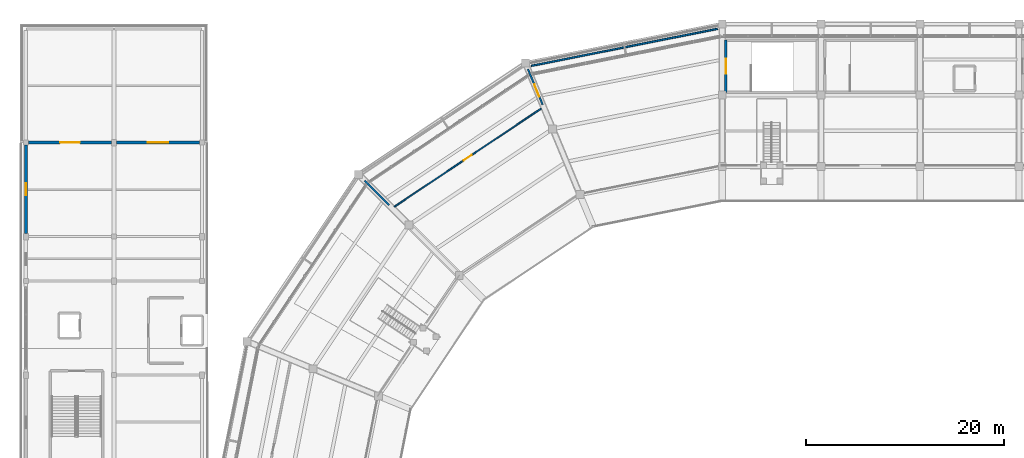
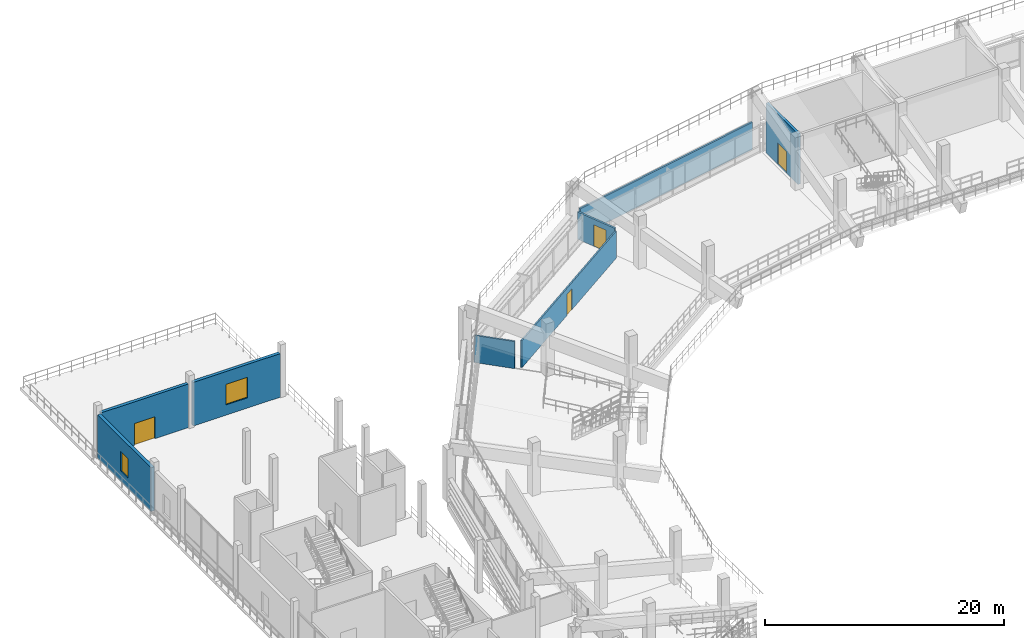
# One storey, part 66 of 96: 8 walls, 4 doors, 2 windows, 6 openings.
"""IFC4 building model written with IfcOpenShell, lengths in metres."""

from ifc_helpers import new_model, si_unit, direction, frame, frame_2d, origin, place, context, subcontext, project, spatial, rectangle, extrude, material, layer, layer_set, type_object, element, fill, save


model = new_model("IFC4")

# Units and contexts
model_context = context("Model", 3, precision=1e-05, world=origin(), true_north=direction((0.0, 1.0)))
body_context = subcontext(model_context, "Body", "Model", "MODEL_VIEW")
ifc_project = project(units=[si_unit("LENGTHUNIT", "METRE"), si_unit("AREAUNIT", "SQUARE_METRE"), si_unit("VOLUMEUNIT", "CUBIC_METRE"), si_unit("PLANEANGLEUNIT", "RADIAN"), si_unit("MASSUNIT", "GRAM", prefix="KILO")], contexts=[model_context])

# Site, building, storey
site_placement = place(None, origin())
site = spatial("IfcSite", under=ifc_project, at=site_placement, CompositionType="ELEMENT")
building_placement = place(site_placement, origin())
building = spatial("IfcBuilding", under=site, at=building_placement, Name="Candeia Ridge Stadium", CompositionType="ELEMENT")
storey_placement = place(building_placement, frame((0.0, 0.0, 21.60009765625)))
storey = spatial("IfcBuildingStorey", under=building, at=storey_placement, Name="L04", CompositionType="ELEMENT", Elevation=21.60009765625)

# Wall
ifc_material_1 = material(Name="Concrete Masonry Blockwork C25/30", Category="masonry")
ifc_layer_1 = layer(ifc_material_1, 0.14990234375, Name="Concrete Masonry Blockwork C25/30", Category="masonry")
ifc_layer_set_1 = layer_set([ifc_layer_1], Name="Concrete Masonry Blockwork C25/30")
wall_type_1 = type_object("IfcWallType", Name="Concourse Kiosk Partition 150", PredefinedType="PARTITIONING", material=ifc_layer_set_1)
wall_1_placement = place(storey_placement, frame((37.306396484375, 128.693603515625, 0.0), z_axis=(0.0, 0.0, 1.0), x_axis=(-0.707106781187, 0.707106781187, 0.0)))
element("IfcWall", 1, at=wall_1_placement, inside=storey, type_object=wall_type_1, Name="Demising partition PT-L04-0643", PredefinedType="PARTITIONING", context=body_context, shape_type="SweptSolid", body=[
    extrude(rectangle(XDim=3.5, YDim=0.14990234375, at=frame_2d((1.75, 0.0))), origin(), (0.0, 0.0, 1.0), 2.772216796875),
])

# Wall, opening, door
ifc_material_2 = material(Name="Concrete C40/50", Category="concrete")
ifc_layer_2 = layer(ifc_material_2, 0.25, Name="Concrete C40/50", Category="concrete")
ifc_layer_set_2 = layer_set([ifc_layer_2], Name="Concrete C40/50")
wall_type_2 = type_object("IfcWallType", Name="Core Shear Wall Concrete 250", PredefinedType="SHEAR", material=ifc_layer_set_2)
wall_2_placement = place(storey_placement, frame((71.37548828125, 145.37451171875, 0.0), z_axis=(0.0, 0.0, 1.0), x_axis=(0.0, -1.0, 0.0)))
wall_2 = element("IfcWall", 2, at=wall_2_placement, inside=storey, type_object=wall_type_2, Name="Core C01 near shear wall L04", PredefinedType="SHEAR", context=body_context, shape_type="SweptSolid", body=[
    extrude(rectangle(XDim=5.299072265625, YDim=0.25, at=frame_2d((2.6494140625, 0.0))), origin(), (0.0, 0.0, 1.0), 5.14990234375),
])
opening_1_placement = place(wall_2_placement, frame((1.899658203125, 0.0, 0.0)))
opening_1 = element("IfcOpeningElement", 3, at=opening_1_placement, cuts=wall_2, Name="Opening FD01", PredefinedType="OPENING", context=body_context, shape_type="SweptSolid", body=[
    extrude(rectangle(XDim=1.5, YDim=2.199951171875, at=frame_2d((0.75, 1.10009765625))), frame((0.0, 0.135009765625, 0.0), z_axis=(0.0, -1.0, 0.0), x_axis=(1.0, 0.0, 0.0)), (0.0, 0.0, 1.0), 0.27001953125),
])
ifc_material_3 = material(Name="Galvanized Fire-Rated Steel", Category="steel")
door_type_1 = type_object("IfcDoorType", Name="Exit Stair Core Fire Door 1500x2200", OperationType="NOTDEFINED", PredefinedType="DOOR", material=ifc_material_3)
door_1_placement = place(opening_1_placement, origin())
door_1 = element("IfcDoor", 4, at=door_1_placement, inside=storey, type_object=door_type_1, Name="Exit stair fire door SD-ST01-L04", OperationType="DOUBLE_DOOR_SINGLE_SWING", OverallHeight=2.199951171875, OverallWidth=1.5, PredefinedType="DOOR", context=body_context, shape_type="SweptSolid", body=[
    extrude(rectangle(XDim=1.5, YDim=2.199951171875, at=frame_2d((0.75, 1.10009765625))), frame((0.0, 0.02490234375, 0.0), z_axis=(0.0, -1.0, 0.0), x_axis=(1.0, 0.0, 0.0)), (0.0, 0.0, 1.0), 0.050048828125),
])
fill(opening_1, door_1)

ifc_material_4 = material(Name="Gypsum Acoustic Twin-Stud Assembly", Category="gypsum")
ifc_layer_3 = layer(ifc_material_4, 0.179931640625, Name="Gypsum Acoustic Twin-Stud Assembly", Category="gypsum")
ifc_layer_set_3 = layer_set([ifc_layer_3], Name="Gypsum Acoustic Twin-Stud Assembly")
wall_type_3 = type_object("IfcWallType", Name="Corridor Fire Partition 180", PredefinedType="PARTITIONING", material=ifc_layer_set_3)
wall_3_placement = place(storey_placement, frame((52.841552734375, 138.838134765625, 0.0), z_axis=(0.0, 0.0, 1.0), x_axis=(-0.382685369162, 0.923878730261, 0.0)))
wall_3 = element("IfcWall", 5, at=wall_3_placement, inside=storey, type_object=wall_type_3, Name="Interior partition PT-L04-0640", PredefinedType="PARTITIONING", context=body_context, shape_type="SweptSolid", body=[
    extrude(rectangle(XDim=3.89990234375, YDim=0.179931640625, at=frame_2d((1.949951171875, 0.0))), origin(), (0.0, 0.0, 1.0), 2.772216796875),
])
opening_2_placement = place(wall_3_placement, frame((0.89990234375, 0.0, 0.0)))
opening_2 = element("IfcOpeningElement", 6, at=opening_2_placement, cuts=wall_3, Name="Opening ID13", PredefinedType="OPENING", context=body_context, shape_type="SweptSolid", body=[
    extrude(rectangle(XDim=1.300048828125, YDim=2.199951171875, at=frame_2d((0.64990234375, 1.10009765625))), frame((0.0, 0.099853515625, 0.0), z_axis=(0.0, -1.0, 0.0), x_axis=(1.0, 0.0, 0.0)), (0.0, 0.0, 1.0), 0.199951171875),
])
ifc_material_5 = material(Name="Moisture-Resistant Laminate", Category="wood")
door_type_2 = type_object("IfcDoorType", Name="Medical Clinic Wide Door 1300x2200", OperationType="NOTDEFINED", PredefinedType="DOOR", material=ifc_material_5)
door_2_placement = place(opening_2_placement, frame((1.300048828125, 0.0, 0.0), z_axis=(0.0, 0.0, 1.0), x_axis=(-1.0, 0.0, 0.0)))
door_2 = element("IfcDoor", 7, at=door_2_placement, inside=storey, type_object=door_type_2, Name="Interior room door D-L04-0329", OperationType="SINGLE_SWING_LEFT", OverallHeight=2.199951171875, OverallWidth=1.300048828125, PredefinedType="DOOR", context=body_context, shape_type="SweptSolid", body=[
    extrude(rectangle(XDim=1.300048828125, YDim=2.199951171875, at=frame_2d((0.64990234375, 1.10009765625))), frame((0.0, 0.02490234375, 0.0), z_axis=(0.0, -1.0, 0.0), x_axis=(1.0, 0.0, 0.0)), (0.0, 0.0, 1.0), 0.050048828125),
])
fill(opening_2, door_2)

# Wall, opening, window
ifc_material_6 = material(Name="Concrete C35/45", Category="concrete")
ifc_layer_4 = layer(ifc_material_6, 0.320068359375, Name="Concrete C35/45", Category="concrete")
ifc_layer_set_4 = layer_set([ifc_layer_4], Name="Concrete C35/45")
wall_type_4 = type_object("IfcWallType", Name="Exterior Cedar-Clad Insulated Wall 320", PredefinedType="SOLIDWALL", material=ifc_layer_set_4)
wall_4_placement = place(storey_placement, frame((0.60009765625, 125.81298828125, 0.0), z_axis=(0.0, 0.0, 1.0), x_axis=(0.0, 1.0, 0.0)))
wall_4 = element("IfcWall", 8, at=wall_4_placement, inside=storey, type_object=wall_type_4, Name="Exterior facade wall EW-L04-0105", PredefinedType="SOLIDWALL", context=body_context, shape_type="SweptSolid", body=[
    extrude(rectangle(XDim=8.948974609375, YDim=0.320068359375, at=frame_2d((4.474609375, 0.0))), origin(), (0.0, 0.0, 1.0), 4.46484375),
])
opening_3_placement = place(wall_4_placement, frame((3.87451171875, 0.0, 1.050048828125)))
opening_3 = element("IfcOpeningElement", 9, at=opening_3_placement, cuts=wall_4, Name="Opening W16", PredefinedType="OPENING", context=body_context, shape_type="SweptSolid", body=[
    extrude(rectangle(XDim=1.199951171875, YDim=2.0, at=frame_2d((0.60009765625, 1.0))), frame((0.0, 0.169921875, 0.0), z_axis=(0.0, -1.0, 0.0), x_axis=(1.0, 0.0, 0.0)), (0.0, 0.0, 1.0), 0.340087890625),
])
ifc_material_7 = material(Name="Tempered Solar-Control Double Glazing", Category="glass")
window_type_1 = type_object("IfcWindowType", Name="Stair Core Daylight Window 1200x2000", PartitioningType="SINGLE_PANEL", PredefinedType="WINDOW", material=ifc_material_7)
window_1_placement = place(opening_3_placement, origin())
window_1 = element("IfcWindow", 10, at=window_1_placement, inside=storey, type_object=window_type_1, Name="Exterior window WIN-L04-058", OverallHeight=2.0, OverallWidth=1.199951171875, PartitioningType="SINGLE_PANEL", PredefinedType="WINDOW", context=body_context, shape_type="SweptSolid", body=[
    extrude(rectangle(XDim=1.199951171875, YDim=2.0, at=frame_2d((0.60009765625, 1.0))), frame((0.0, 0.030029296875, 0.0), z_axis=(0.0, -1.0, 0.0), x_axis=(1.0, 0.0, 0.0)), (0.0, 0.0, 1.0), 0.06005859375),
])
fill(opening_3, window_1)

# Wall, opening, door
ifc_layer_5 = layer(ifc_material_6, 0.300048828125, Name="Concrete C35/45", Category="concrete")
ifc_layer_set_5 = layer_set([ifc_layer_5], Name="Concrete C35/45")
wall_type_5 = type_object("IfcWallType", Name="Exterior Pavilion Rainscreen Wall 300", PredefinedType="SOLIDWALL", material=ifc_layer_set_5)
wall_5_placement = place(storey_placement, frame((0.837890625, 135.0, 0.0), z_axis=(0.0, 0.0, 1.0), x_axis=(1.0, 0.0, 0.0)))
wall_5 = element("IfcWall", 11, at=wall_5_placement, inside=storey, type_object=wall_type_5, Name="Exterior facade wall EW-L04-0108", PredefinedType="SOLIDWALL", context=body_context, shape_type="SweptSolid", body=[
    extrude(rectangle(XDim=8.424072265625, YDim=0.300048828125, at=frame_2d((4.2119140625, 0.0))), origin(), (0.0, 0.0, 1.0), 4.46484375),
])
opening_4_placement = place(wall_5_placement, frame((3.2119140625, 0.0, 0.0)))
opening_4 = element("IfcOpeningElement", 12, at=opening_4_placement, cuts=wall_5, Name="Opening ED06", PredefinedType="OPENING", context=body_context, shape_type="SweptSolid", body=[
    extrude(rectangle(XDim=2.0, YDim=2.25, at=frame_2d((1.0, 1.125))), frame((0.0, 0.159912109375, 0.0), z_axis=(0.0, -1.0, 0.0), x_axis=(1.0, 0.0, 0.0)), (0.0, 0.0, 1.0), 0.320068359375),
])
ifc_material_8 = material(Name="Aluminium Thermal-Break Glazed Door", Category="aluminium")
door_type_3 = type_object("IfcDoorType", Name="Terrace Lounge Double Door 2000x2250", OperationType="NOTDEFINED", PredefinedType="DOOR", material=ifc_material_8)
door_3_placement = place(opening_4_placement, origin())
door_3 = element("IfcDoor", 13, at=door_3_placement, inside=storey, type_object=door_type_3, Name="Exterior entrance door ED-010", OperationType="DOUBLE_DOOR_SINGLE_SWING", OverallHeight=2.25, OverallWidth=2.0, PredefinedType="DOOR", context=body_context, shape_type="SweptSolid", body=[
    extrude(rectangle(XDim=2.0, YDim=2.25, at=frame_2d((1.0, 1.125))), frame((0.0, 0.02490234375, 0.0), z_axis=(0.0, -1.0, 0.0), x_axis=(1.0, 0.0, 0.0)), (0.0, 0.0, 1.0), 0.050048828125),
])
fill(opening_4, door_3)

# Wall, opening, window
wall_6_placement = place(storey_placement, frame((9.738037109375, 135.0, 0.0), z_axis=(0.0, 0.0, 1.0), x_axis=(1.0, 0.0, 0.0)))
wall_6 = element("IfcWall", 14, at=wall_6_placement, inside=storey, type_object=wall_type_5, Name="Exterior facade wall EW-L04-0109", PredefinedType="SOLIDWALL", context=body_context, shape_type="SweptSolid", body=[
    extrude(rectangle(XDim=8.424072265625, YDim=0.300048828125, at=frame_2d((4.2119140625, 0.0))), origin(), (0.0, 0.0, 1.0), 4.46484375),
])
opening_5_placement = place(wall_6_placement, frame((3.162109375, 0.0, 1.050048828125)))
opening_5 = element("IfcOpeningElement", 15, at=opening_5_placement, cuts=wall_6, Name="Opening W04", PredefinedType="OPENING", context=body_context, shape_type="SweptSolid", body=[
    extrude(rectangle(XDim=2.10009765625, YDim=2.10009765625, at=frame_2d((1.050048828125, 1.050048828125))), frame((0.0, 0.159912109375, 0.0), z_axis=(0.0, -1.0, 0.0), x_axis=(1.0, 0.0, 0.0)), (0.0, 0.0, 1.0), 0.320068359375),
])
window_type_2 = type_object("IfcWindowType", Name="Hospitality Ribbon Window 2100x2100", PartitioningType="SINGLE_PANEL", PredefinedType="WINDOW", material=ifc_material_7)
window_2_placement = place(opening_5_placement, origin())
window_2 = element("IfcWindow", 16, at=window_2_placement, inside=storey, type_object=window_type_2, Name="Exterior window WIN-L04-060", OverallHeight=2.10009765625, OverallWidth=2.10009765625, PartitioningType="SINGLE_PANEL", PredefinedType="WINDOW", context=body_context, shape_type="SweptSolid", body=[
    extrude(rectangle(XDim=2.10009765625, YDim=2.10009765625, at=frame_2d((1.050048828125, 1.050048828125))), frame((0.0, 0.030029296875, 0.0), z_axis=(0.0, -1.0, 0.0), x_axis=(1.0, 0.0, 0.0)), (0.0, 0.0, 1.0), 0.06005859375),
])
fill(opening_5, window_2)

# Wall, opening, door
ifc_material_9 = material(Name="Gypsum Metal-Stud Partition", Category="gypsum")
ifc_layer_6 = layer(ifc_material_9, 0.135009765625, Name="Gypsum Metal-Stud Partition", Category="gypsum")
ifc_layer_set_6 = layer_set([ifc_layer_6], Name="Gypsum Metal-Stud Partition")
wall_type_6 = type_object("IfcWallType", Name="General Room Partition 135", PredefinedType="PARTITIONING", material=ifc_layer_set_6)
wall_7_placement = place(storey_placement, frame((52.6962890625, 138.446044921875, 0.0), z_axis=(0.0, 0.0, 1.0), x_axis=(-0.831469939309, -0.55556974362, 0.0)))
wall_7 = element("IfcWall", 17, at=wall_7_placement, inside=storey, type_object=wall_type_6, Name="Interior partition PT-L04-0642", PredefinedType="PARTITIONING", context=body_context, shape_type="SweptSolid", body=[
    extrude(rectangle(XDim=17.87646484375, YDim=0.135009765625, at=frame_2d((8.938232421875, 0.0))), origin(), (0.0, 0.0, 1.0), 2.772216796875),
])
opening_6_placement = place(wall_7_placement, frame((8.458251953125, 0.0, 0.0)))
opening_6 = element("IfcOpeningElement", 18, at=opening_6_placement, cuts=wall_7, Name="Opening ID17", PredefinedType="OPENING", context=body_context, shape_type="SweptSolid", body=[
    extrude(rectangle(XDim=0.9599609375, YDim=2.14990234375, at=frame_2d((0.47998046875, 1.074951171875))), frame((0.0, 0.077392578125, 0.0), z_axis=(0.0, -1.0, 0.0), x_axis=(1.0, 0.0, 0.0)), (0.0, 0.0, 1.0), 0.155029296875),
])
ifc_material_10 = material(Name="Solid Core Cedar Veneer", Category="wood")
door_type_4 = type_object("IfcDoorType", Name="Ticketing Office Single Door 960x2150", OperationType="NOTDEFINED", PredefinedType="DOOR", material=ifc_material_10)
door_4_placement = place(opening_6_placement, frame((0.9599609375, 0.0, 0.0), z_axis=(0.0, 0.0, 1.0), x_axis=(-1.0, 0.0, 0.0)))
door_4 = element("IfcDoor", 19, at=door_4_placement, inside=storey, type_object=door_type_4, Name="Interior room door D-L04-0330", OperationType="SINGLE_SWING_RIGHT", OverallHeight=2.14990234375, OverallWidth=0.9599609375, PredefinedType="DOOR", context=body_context, shape_type="SweptSolid", body=[
    extrude(rectangle(XDim=0.9599609375, YDim=2.14990234375, at=frame_2d((0.47998046875, 1.074951171875))), frame((0.0, 0.02490234375, 0.0), z_axis=(0.0, -1.0, 0.0), x_axis=(1.0, 0.0, 0.0)), (0.0, 0.0, 1.0), 0.050048828125),
])
fill(opening_6, door_4)

# Wall
ifc_layer_7 = layer(ifc_material_4, 0.1650390625, Name="Gypsum Acoustic Twin-Stud Assembly", Category="gypsum")
ifc_layer_set_7 = layer_set([ifc_layer_7], Name="Gypsum Acoustic Twin-Stud Assembly")
wall_type_7 = type_object("IfcWallType", Name="Hospitality Suite Acoustic Wall 165", PredefinedType="PARTITIONING", material=ifc_layer_set_7)
wall_8_placement = place(storey_placement, frame((51.69482421875, 142.760009765625, 0.0), z_axis=(0.0, 0.0, 1.0), x_axis=(0.98078659802, 0.195083697793, 0.0)))
element("IfcWall", 20, at=wall_8_placement, inside=storey, type_object=wall_type_7, Name="Demising partition PT-L04-0641", PredefinedType="PARTITIONING", context=body_context, shape_type="SweptSolid", body=[
    extrude(rectangle(XDim=19.1923828125, YDim=0.1650390625, at=frame_2d((9.59619140625, 0.0))), origin(), (0.0, 0.0, 1.0), 2.772216796875),
])

save(model, "model.ifc")
